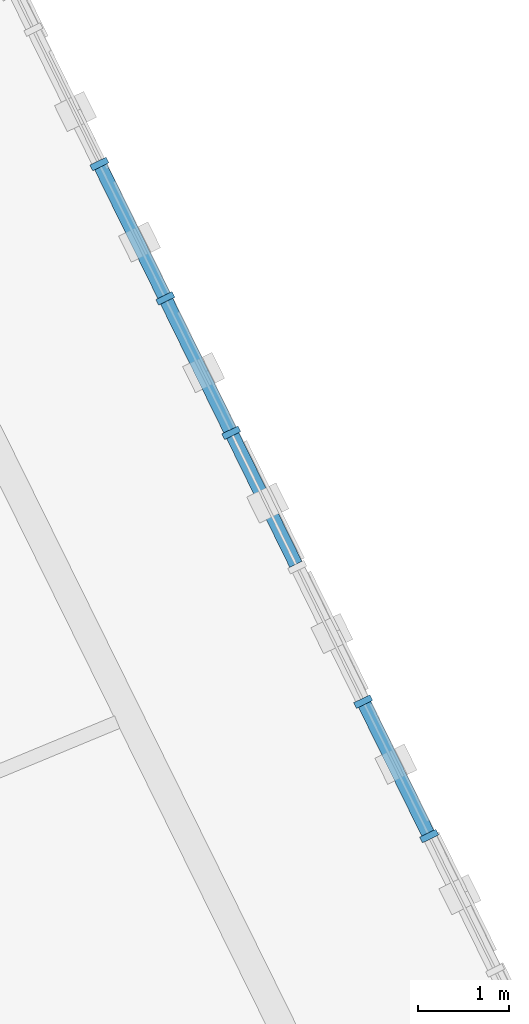
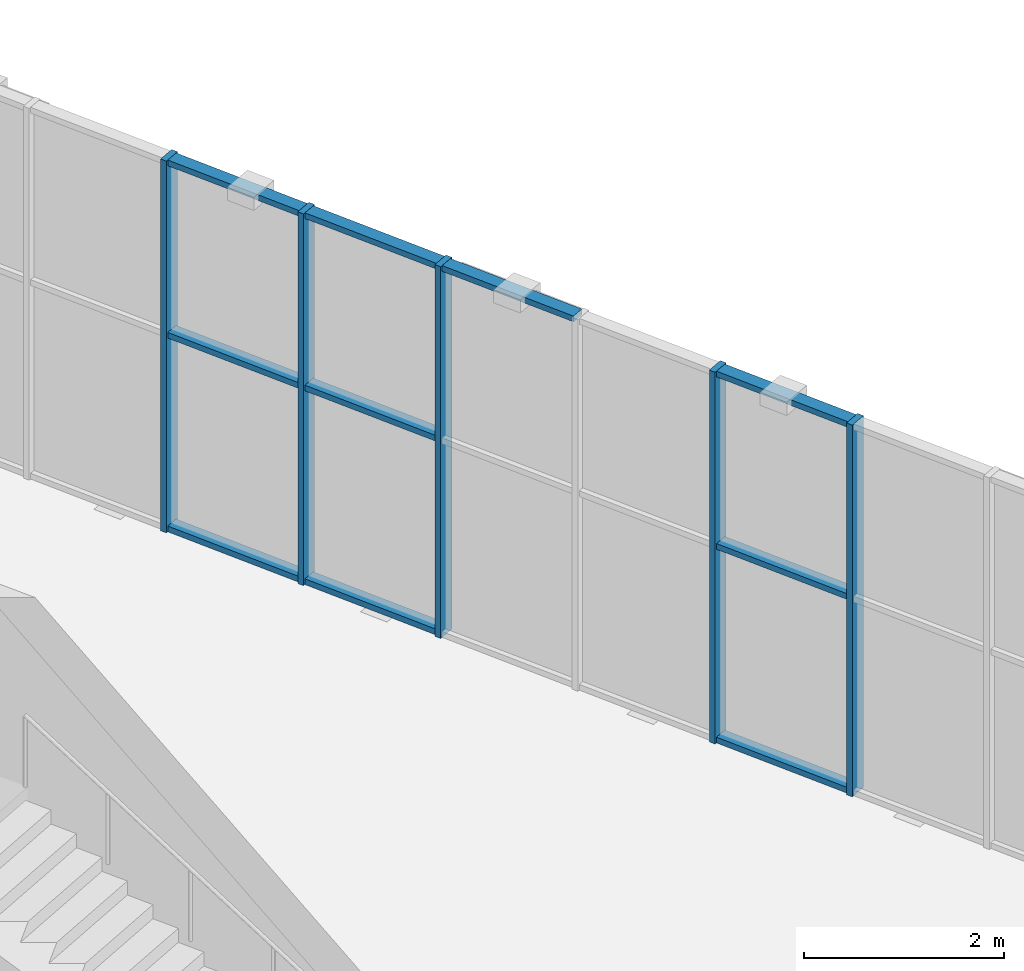
# One storey, part 41 of 152: 15 members, 1 element without a shape of its own.
"""IFC4 building model written with IfcOpenShell, lengths in metres."""

import ifcopenshell
import ifcopenshell.guid

model = None  # the IFC model being written
_history = None  # IfcOwnerHistory: only IFC2X3 demands one
_inside = {}  # id of a spatial element -> (the spatial element, [elements in it])
_under = {}  # id of a project, library or spatial element -> (it, [spatial elements below it])
_declared = {}  # id of a project -> (the project, [libraries it declares])
_typed = {}  # id of a type object -> (the type object, [elements of that type])
_made_of = {}  # id of a material, layer set ... -> (it, [elements and type objects made of it])


def new_model(schema):
    """Start an empty IFC model of exactly this schema.

    Asked for "IFC4X3", IfcOpenShell would pick the latest addendum, in which some entities
    have other attributes; the version numbers below select the first issue.
    IFC2X3 requires an IfcOwnerHistory on every rooted entity: one is made here for all.
    """
    global model, _history
    if schema == "IFC4X3":
        model = ifcopenshell.file(schema_version=(4, 3, 0, 0))
    else:
        model = ifcopenshell.file(schema=schema)
    _inside.clear()
    _under.clear()
    _declared.clear()
    _typed.clear()
    _made_of.clear()
    _history = None
    if model.schema == "IFC2X3":
        org = make("IfcOrganization", Name="unknown")
        user = make(
            "IfcPersonAndOrganization",
            ThePerson=make("IfcPerson", FamilyName="unknown"),
            TheOrganization=org,
        )
        app = make(
            "IfcApplication",
            ApplicationDeveloper=org,
            Version="unknown",
            ApplicationFullName="unknown",
            ApplicationIdentifier="unknown",
        )
        _history = make(
            "IfcOwnerHistory",
            OwningUser=user,
            OwningApplication=app,
            ChangeAction="ADDED",
            CreationDate=0,
        )
    return model


def make(cls, **values):
    """One entity of the class cls with the attributes given. An attribute that is None is left unset."""
    return model.create_entity(
        cls, **{name: value for name, value in values.items() if value is not None}
    )


def rooted(cls, **values):
    """An entity with a GlobalId (a new one), such as an element, a storey or a relation."""
    return make(cls, GlobalId=ifcopenshell.guid.new(), OwnerHistory=_history, **values)


def si_unit(unit_type, name, prefix=None):
    """IfcSIUnit, for example si_unit("LENGTHUNIT", "METRE", prefix="MILLI")."""
    return make("IfcSIUnit", UnitType=unit_type, Prefix=prefix, Name=name)


def assignment(units):
    """IfcUnitAssignment: the units of a project."""
    return None if units is None else make("IfcUnitAssignment", Units=units)


def point(xyz):
    """IfcCartesianPoint."""
    return None if xyz is None else make("IfcCartesianPoint", Coordinates=xyz)


def direction(xyz):
    """IfcDirection."""
    return None if xyz is None else make("IfcDirection", DirectionRatios=xyz)


def frame(location, z_axis=None, x_axis=None):
    """IfcAxis2Placement3D, a coordinate frame: its origin and axes. An axis left out is left unset."""
    return make(
        "IfcAxis2Placement3D",
        Location=point(location),
        Axis=direction(z_axis),
        RefDirection=direction(x_axis),
    )


def frame_2d(location, x_axis=None):
    """IfcAxis2Placement2D, a coordinate frame in the plane: its origin and x axis."""
    return make(
        "IfcAxis2Placement2D", Location=point(location), RefDirection=direction(x_axis)
    )


def origin():
    """The frame at (0, 0, 0) with its axes left unset."""
    return frame((0.0, 0.0, 0.0))


def origin_2d():
    """The frame at (0, 0) in the plane with its x axis left unset."""
    return frame_2d((0.0, 0.0))


def place(relative_to, where):
    """IfcLocalPlacement: puts the frame where relative to a parent placement (None: the world)."""
    return make(
        "IfcLocalPlacement", PlacementRelTo=relative_to, RelativePlacement=where
    )


def context(
    kind, dimensions, precision=None, world=None, true_north=None, identifier=None
):
    """IfcGeometricRepresentationContext, for example the 3D "Model" context."""
    return make(
        "IfcGeometricRepresentationContext",
        ContextIdentifier=identifier,
        ContextType=kind,
        CoordinateSpaceDimension=dimensions,
        Precision=precision,
        WorldCoordinateSystem=world,
        TrueNorth=true_north,
    )


def subcontext(parent, identifier, kind, view, scale=None):
    """IfcGeometricRepresentationSubContext, for example "Body" below "Model"."""
    return make(
        "IfcGeometricRepresentationSubContext",
        ContextIdentifier=identifier,
        ContextType=kind,
        ParentContext=parent,
        TargetScale=scale,
        TargetView=view,
    )


def project(units=None, contexts=None):
    """IfcProject with its units and contexts."""
    return rooted(
        "IfcProject",
        Name="project",
        RepresentationContexts=contexts,
        UnitsInContext=assignment(units),
    )


def spatial(cls, under=None, at=None, **own):
    """A site, building, storey or space (cls), placed at a placement, below another one or the project."""
    s = rooted(cls, ObjectPlacement=at, **own)
    if under is not None:
        _under.setdefault(under.id(), (under, []))[1].append(s)
    return s


def profile(cls, at=None, kind="AREA", **sizes):
    """A parametric profile (cls). Its sizes go by their IFC names, for example OverallWidth=200.0."""
    return make(cls, ProfileType=kind, Position=at, **sizes)


def rectangle(**sizes):
    """IfcRectangleProfileDef."""
    return profile("IfcRectangleProfileDef", **sizes)


def extrude(swept, where, along, depth):
    """IfcExtrudedAreaSolid: the profile swept, set in the frame where, extruded along a direction by depth."""
    return make(
        "IfcExtrudedAreaSolid",
        SweptArea=swept,
        Position=where,
        ExtrudedDirection=direction(along),
        Depth=depth,
    )


def shape(context_of_items, identifier, shape_type, items):
    """IfcShapeRepresentation: the items that make up one representation, for example the "Body"."""
    return make(
        "IfcShapeRepresentation",
        ContextOfItems=context_of_items,
        RepresentationIdentifier=identifier,
        RepresentationType=shape_type,
        Items=items,
    )


def material(Name=None, Category=None):
    """IfcMaterial."""
    return make("IfcMaterial", Name=Name, Category=Category)


def material_profile(
    of_material, cross_section, Name=None, Category=None, Priority=None
):
    """IfcMaterialProfile: a cross section and its material."""
    return make(
        "IfcMaterialProfile",
        Name=Name,
        Material=of_material,
        Profile=cross_section,
        Priority=Priority,
        Category=Category,
    )


def profile_set(profiles, Name=None, composite=None):
    """IfcMaterialProfileSet."""
    return make(
        "IfcMaterialProfileSet",
        Name=Name,
        MaterialProfiles=profiles,
        CompositeProfile=composite,
    )


def made_of(thing, what):
    """Note that an element or type object is made of a material, layer set ...; save() writes the relation."""
    if what is not None:
        _made_of.setdefault(what.id(), (what, []))[1].append(thing)
    return thing


def type_object(cls, material=None, **own):
    """A type object (cls), such as IfcWallType, which elements share."""
    return made_of(rooted(cls, **own), material)


def element(
    cls,
    number,
    at=None,
    inside=None,
    cuts=None,
    type_object=None,
    material=None,
    context=None,
    identifier="Body",
    shape_type=None,
    held_by="IfcProductDefinitionShape",
    body=None,
    shapes=None,
    **own,
):
    """One element of the class cls, such as IfcWall. Its Tag is "e" and its number.

    at: its placement. inside: the storey or other place that contains it. cuts: it is an
    opening in that element (IfcRelVoidsElement). A single representation is given by context,
    identifier, shape_type and body (its items); several are given by shapes. held_by: the class
    of the entity that holds the representations. save() writes the other relations.
    """
    e = rooted(cls, Tag="e%d" % number, ObjectPlacement=at, **own)
    if body is not None:
        shapes = [shape(context, identifier, shape_type, body)]
    if shapes is not None:
        e.Representation = make(held_by, Representations=shapes)
    if inside is not None:
        _inside.setdefault(inside.id(), (inside, []))[1].append(e)
    if cuts is not None:
        rooted(
            "IfcRelVoidsElement", RelatingBuildingElement=cuts, RelatedOpeningElement=e
        )
    if type_object is not None:
        _typed.setdefault(type_object.id(), (type_object, []))[1].append(e)
    return made_of(e, material)


def aggregate(whole, parts):
    """IfcRelAggregates: a whole, such as a stair, and the parts it consists of."""
    return rooted("IfcRelAggregates", RelatingObject=whole, RelatedObjects=parts)


def save(model, path):
    """Write the relations noted so far, then the file.

    IfcRelAggregates (storeys below a building ...), IfcRelContainedInSpatialStructure (elements
    in a storey), IfcRelDefinesByType, IfcRelAssociatesMaterial and IfcRelDeclares: one each for
    every whole, place, type object, material and project.
    """
    for whole, parts in _under.values():
        aggregate(whole, parts)
    for where, things in _inside.values():
        rooted(
            "IfcRelContainedInSpatialStructure",
            RelatedElements=things,
            RelatingStructure=where,
        )
    for kind, things in _typed.values():
        rooted("IfcRelDefinesByType", RelatedObjects=things, RelatingType=kind)
    for what, things in _made_of.values():
        rooted("IfcRelAssociatesMaterial", RelatedObjects=things, RelatingMaterial=what)
    for by, libraries in _declared.values():
        rooted("IfcRelDeclares", RelatingContext=by, RelatedDefinitions=libraries)
    model.write(path)


model = new_model("IFC4")

# Units and contexts
model_context = context("Model", 3, precision=1e-05, world=origin(), true_north=direction((0.0, 1.0)))
body_context = subcontext(model_context, "Body", "Model", "MODEL_VIEW")
ifc_project = project(units=[si_unit("LENGTHUNIT", "METRE"), si_unit("AREAUNIT", "SQUARE_METRE"), si_unit("VOLUMEUNIT", "CUBIC_METRE"), si_unit("PLANEANGLEUNIT", "RADIAN"), si_unit("MASSUNIT", "GRAM", prefix="KILO")], contexts=[model_context])

# Site, building, storey
site_placement = place(None, origin())
site = spatial("IfcSite", under=ifc_project, at=site_placement, CompositionType="ELEMENT")
building_placement = place(site_placement, origin())
building = spatial("IfcBuilding", under=site, at=building_placement, Name="Zevraka Park Crest Stadium", CompositionType="ELEMENT")
storey_placement = place(building_placement, frame((0.0, 0.0, 15.0)))
storey = spatial("IfcBuildingStorey", under=building, at=storey_placement, Name="L03", CompositionType="ELEMENT", Elevation=15.0)

# Curtain wall, members
ifc_material_1 = material(Name="Anodised architectural aluminium and laminated safety glass", Category="aluminium")
curtain_wall_type = type_object("IfcCurtainWallType", Name="CW12", PredefinedType="NOTDEFINED", material=ifc_material_1)
curtain_wall_placement = place(storey_placement, origin())
curtain_wall = element("IfcCurtainWall", 1, at=curtain_wall_placement, inside=storey, type_object=curtain_wall_type, Name="Unitised Ring Curtain Wall CW12 L03-01", PredefinedType="NOTDEFINED")
ifc_material_2 = material(Name="Anodised architectural aluminium", Category="aluminium")
ifc_material_profile_1 = material_profile(ifc_material_2, rectangle(XDim=0.199951171875, YDim=0.070068359375, at=origin_2d()), Name="ALU MULLION 200x70")
ifc_profile_set_1 = profile_set([ifc_material_profile_1], Name="Anodised architectural aluminium")
member_type_1 = type_object("IfcMemberType", Name="CM03", PredefinedType="MULLION", material=ifc_profile_set_1)
member_1_placement = place(storey_placement, frame((200.953857421875, 120.47119140625, 0.0), z_axis=(0.0, 0.0, 1.0), x_axis=(-0.897670958396, -0.440666370912, 0.0)))
member_1 = element("IfcMember", 2, at=member_1_placement, type_object=member_type_1, Name="CW12 mullion 6", PredefinedType="MULLION", context=body_context, shape_type="SweptSolid", body=[
    extrude(rectangle(XDim=0.199951171875, YDim=0.070068359375, at=origin_2d()), origin(), (0.0, 0.0, 1.0), 4.5400390625),
])
member_2_placement = place(storey_placement, frame((200.2255859375, 121.954833984375, 0.0), z_axis=(0.0, 0.0, 1.0), x_axis=(-0.897670958396, -0.440666370912, 0.0)))
member_2 = element("IfcMember", 3, at=member_2_placement, type_object=member_type_1, Name="CW12 mullion 7", PredefinedType="MULLION", context=body_context, shape_type="SweptSolid", body=[
    extrude(rectangle(XDim=0.199951171875, YDim=0.070068359375, at=origin_2d()), origin(), (0.0, 0.0, 1.0), 4.5400390625),
])
member_3_placement = place(storey_placement, frame((198.76904296875, 124.921630859375, 0.0), z_axis=(0.0, 0.0, 1.0), x_axis=(-0.897670958396, -0.440666370912, 0.0)))
member_3 = element("IfcMember", 4, at=member_3_placement, type_object=member_type_1, Name="CW12 mullion 9", PredefinedType="MULLION", context=body_context, shape_type="SweptSolid", body=[
    extrude(rectangle(XDim=0.199951171875, YDim=0.070068359375, at=origin_2d()), origin(), (0.0, 0.0, 1.0), 4.5400390625),
])
member_4_placement = place(storey_placement, frame((198.041015625, 126.4052734375, 0.0), z_axis=(0.0, 0.0, 1.0), x_axis=(-0.897670958396, -0.440666370912, 0.0)))
member_4 = element("IfcMember", 5, at=member_4_placement, type_object=member_type_1, Name="CW12 mullion 10", PredefinedType="MULLION", context=body_context, shape_type="SweptSolid", body=[
    extrude(rectangle(XDim=0.199951171875, YDim=0.070068359375, at=origin_2d()), origin(), (0.0, 0.0, 1.0), 4.5400390625),
])
member_5_placement = place(storey_placement, frame((197.312744140625, 127.888671875, 0.0), z_axis=(0.0, 0.0, 1.0), x_axis=(-0.897670958396, -0.440666370912, 0.0)))
member_5 = element("IfcMember", 6, at=member_5_placement, type_object=member_type_1, Name="CW12 mullion 11", PredefinedType="MULLION", context=body_context, shape_type="SweptSolid", body=[
    extrude(rectangle(XDim=0.199951171875, YDim=0.070068359375, at=origin_2d()), origin(), (0.0, 0.0, 1.0), 4.5400390625),
])
ifc_material_3 = material(Name="Anodised architectural aluminium", Category="aluminium")
ifc_material_profile_2 = material_profile(ifc_material_3, rectangle(XDim=0.14990234375, YDim=0.070068359375, at=origin_2d()), Name="ALU TRANSOM 150x70")
ifc_profile_set_2 = profile_set([ifc_material_profile_2], Name="Anodised architectural aluminium")
member_type_2 = type_object("IfcMemberType", Name="CT03", PredefinedType="USERDEFINED", material=ifc_profile_set_2)
member_6_placement = place(storey_placement, frame((200.9384765625, 120.502685546875, 0.034912109375), z_axis=(-0.440722911723, 0.897643200321, 0.0), x_axis=(-0.897643200321, -0.440722911723, 0.0)))
member_6 = element("IfcMember", 7, at=member_6_placement, type_object=member_type_2, Name="CW12 transom 6.1", ObjectType="TRANSOM", PredefinedType="USERDEFINED", context=body_context, shape_type="SweptSolid", body=[
    extrude(rectangle(XDim=0.14990234375, YDim=0.070068359375, at=origin_2d()), origin(), (0.0, 0.0, 1.0), 1.582763671875),
])
member_7_placement = place(storey_placement, frame((200.9384765625, 120.502685546875, 2.39990234375), z_axis=(-0.440722911723, 0.897643200321, 0.0), x_axis=(-0.897643200321, -0.440722911723, 0.0)))
member_7 = element("IfcMember", 8, at=member_7_placement, type_object=member_type_2, Name="CW12 transom 6.2", ObjectType="TRANSOM", PredefinedType="USERDEFINED", context=body_context, shape_type="SweptSolid", body=[
    extrude(rectangle(XDim=0.14990234375, YDim=0.070068359375, at=origin_2d()), origin(), (0.0, 0.0, 1.0), 1.582763671875),
])
member_8_placement = place(storey_placement, frame((200.9384765625, 120.502685546875, 4.5048828125), z_axis=(-0.440722911723, 0.897643200321, 0.0), x_axis=(-0.897643200321, -0.440722911723, 0.0)))
member_8 = element("IfcMember", 9, at=member_8_placement, type_object=member_type_2, Name="CW12 transom 6.3", ObjectType="TRANSOM", PredefinedType="USERDEFINED", context=body_context, shape_type="SweptSolid", body=[
    extrude(rectangle(XDim=0.14990234375, YDim=0.070068359375, at=origin_2d()), origin(), (0.0, 0.0, 1.0), 1.582763671875),
])
member_9_placement = place(storey_placement, frame((199.48193359375, 123.4697265625, 4.5048828125), z_axis=(-0.440598601408, 0.897704223248, 0.0), x_axis=(-0.897704223248, -0.440598601408, 0.0)))
member_9 = element("IfcMember", 10, at=member_9_placement, type_object=member_type_2, Name="CW12 transom 8.3", ObjectType="TRANSOM", PredefinedType="USERDEFINED", context=body_context, shape_type="SweptSolid", body=[
    extrude(rectangle(XDim=0.14990234375, YDim=0.070068359375, at=origin_2d()), origin(), (0.0, 0.0, 1.0), 1.58251953125),
])
member_10_placement = place(storey_placement, frame((198.753662109375, 124.953125, 0.034912109375), z_axis=(-0.440598601408, 0.897704223248, 0.0), x_axis=(-0.897704223248, -0.440598601408, 0.0)))
member_10 = element("IfcMember", 11, at=member_10_placement, type_object=member_type_2, Name="CW12 transom 9.1", ObjectType="TRANSOM", PredefinedType="USERDEFINED", context=body_context, shape_type="SweptSolid", body=[
    extrude(rectangle(XDim=0.14990234375, YDim=0.070068359375, at=origin_2d()), origin(), (0.0, 0.0, 1.0), 1.58251953125),
])
member_11_placement = place(storey_placement, frame((198.753662109375, 124.953125, 2.39990234375), z_axis=(-0.440598601408, 0.897704223248, 0.0), x_axis=(-0.897704223248, -0.440598601408, 0.0)))
member_11 = element("IfcMember", 12, at=member_11_placement, type_object=member_type_2, Name="CW12 transom 9.2", ObjectType="TRANSOM", PredefinedType="USERDEFINED", context=body_context, shape_type="SweptSolid", body=[
    extrude(rectangle(XDim=0.14990234375, YDim=0.070068359375, at=origin_2d()), origin(), (0.0, 0.0, 1.0), 1.58251953125),
])
member_12_placement = place(storey_placement, frame((198.753662109375, 124.953125, 4.5048828125), z_axis=(-0.440598601408, 0.897704223248, 0.0), x_axis=(-0.897704223248, -0.440598601408, 0.0)))
member_12 = element("IfcMember", 13, at=member_12_placement, type_object=member_type_2, Name="CW12 transom 9.3", ObjectType="TRANSOM", PredefinedType="USERDEFINED", context=body_context, shape_type="SweptSolid", body=[
    extrude(rectangle(XDim=0.14990234375, YDim=0.070068359375, at=origin_2d()), origin(), (0.0, 0.0, 1.0), 1.58251953125),
])
member_13_placement = place(storey_placement, frame((198.025390625, 126.4365234375, 0.034912109375), z_axis=(-0.440598601408, 0.897704223248, 0.0), x_axis=(-0.897704223248, -0.440598601408, 0.0)))
member_13 = element("IfcMember", 14, at=member_13_placement, type_object=member_type_2, Name="CW12 transom 10.1", ObjectType="TRANSOM", PredefinedType="USERDEFINED", context=body_context, shape_type="SweptSolid", body=[
    extrude(rectangle(XDim=0.14990234375, YDim=0.070068359375, at=origin_2d()), origin(), (0.0, 0.0, 1.0), 1.58251953125),
])
member_14_placement = place(storey_placement, frame((198.025390625, 126.4365234375, 2.39990234375), z_axis=(-0.440598601408, 0.897704223248, 0.0), x_axis=(-0.897704223248, -0.440598601408, 0.0)))
member_14 = element("IfcMember", 15, at=member_14_placement, type_object=member_type_2, Name="CW12 transom 10.2", ObjectType="TRANSOM", PredefinedType="USERDEFINED", context=body_context, shape_type="SweptSolid", body=[
    extrude(rectangle(XDim=0.14990234375, YDim=0.070068359375, at=origin_2d()), origin(), (0.0, 0.0, 1.0), 1.58251953125),
])
member_15_placement = place(storey_placement, frame((198.025390625, 126.4365234375, 4.5048828125), z_axis=(-0.440598601408, 0.897704223248, 0.0), x_axis=(-0.897704223248, -0.440598601408, 0.0)))
member_15 = element("IfcMember", 16, at=member_15_placement, type_object=member_type_2, Name="CW12 transom 10.3", ObjectType="TRANSOM", PredefinedType="USERDEFINED", context=body_context, shape_type="SweptSolid", body=[
    extrude(rectangle(XDim=0.14990234375, YDim=0.070068359375, at=origin_2d()), origin(), (0.0, 0.0, 1.0), 1.58251953125),
])
aggregate(curtain_wall, [member_1, member_2, member_3, member_4, member_5, member_6, member_7, member_8, member_9, member_10, member_11, member_12, member_13, member_14, member_15])

save(model, "model.ifc")
